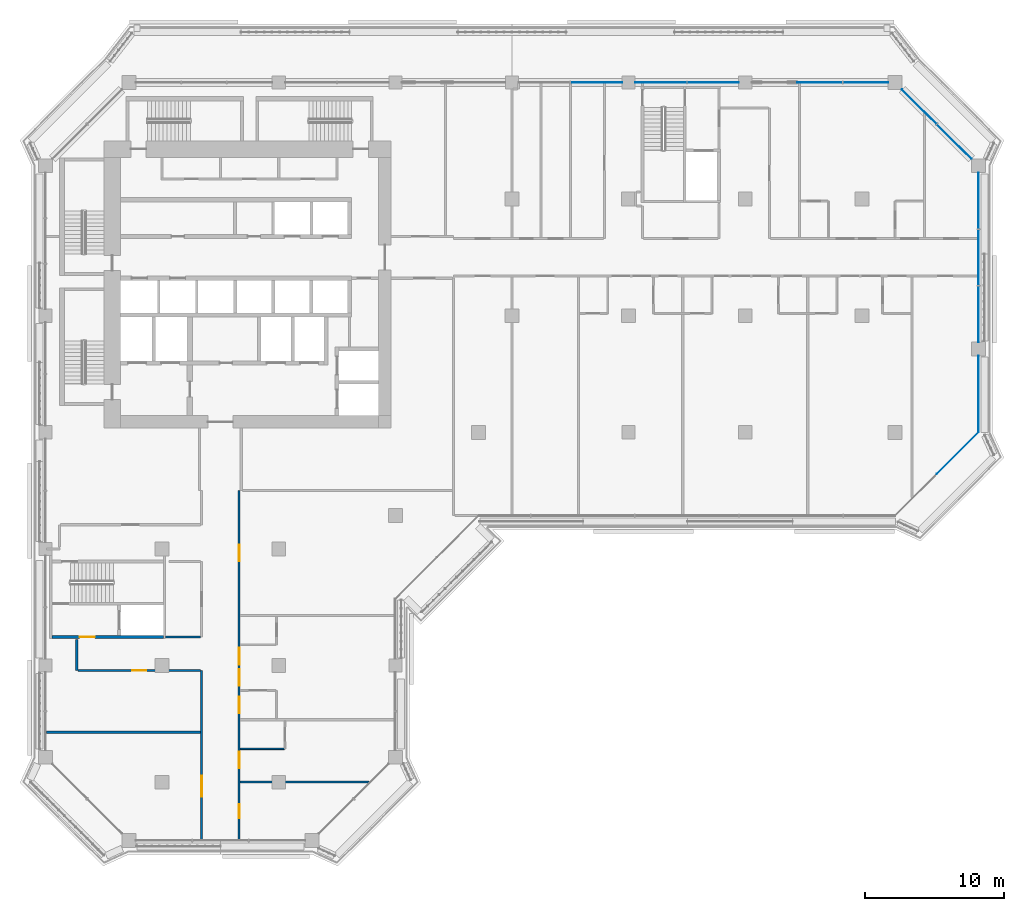
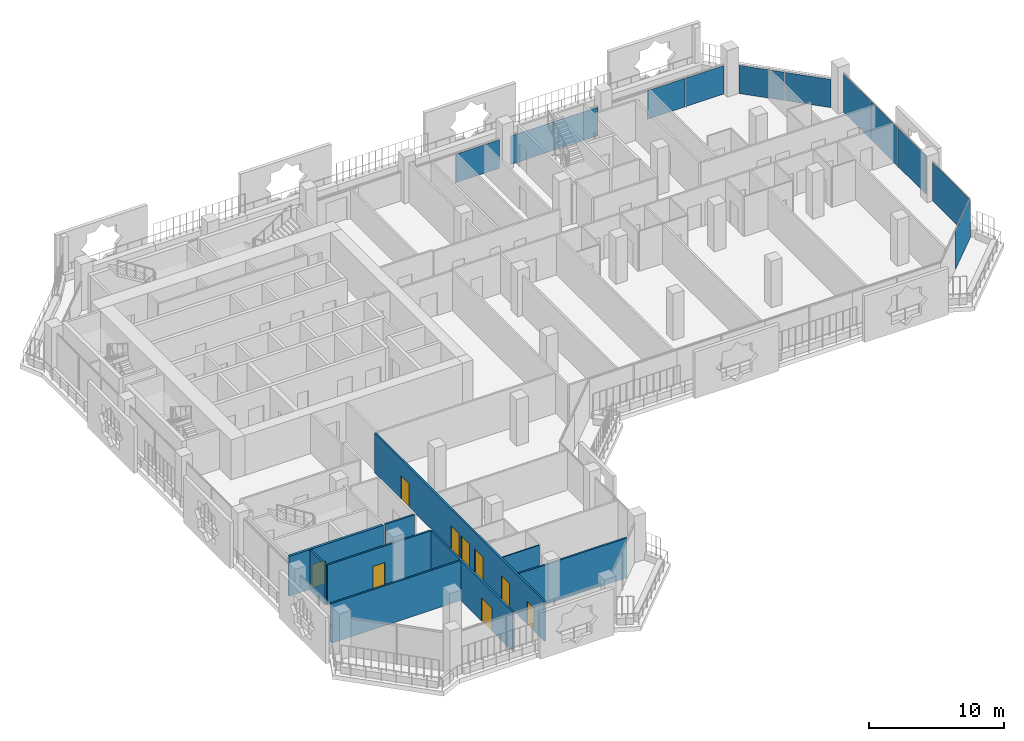
# One storey, part 9 of 22: 12 plates, 9 doors, 9 walls, 9 openings, 4 elements without a shape of their own.
"""IFC4 building model written with IfcOpenShell, lengths in metres."""

import ifcopenshell
import ifcopenshell.guid

model = None  # the IFC model being written
_history = None  # IfcOwnerHistory: only IFC2X3 demands one
_inside = {}  # id of a spatial element -> (the spatial element, [elements in it])
_under = {}  # id of a project, library or spatial element -> (it, [spatial elements below it])
_declared = {}  # id of a project -> (the project, [libraries it declares])
_typed = {}  # id of a type object -> (the type object, [elements of that type])
_made_of = {}  # id of a material, layer set ... -> (it, [elements and type objects made of it])


def new_model(schema):
    """Start an empty IFC model of exactly this schema.

    Asked for "IFC4X3", IfcOpenShell would pick the latest addendum, in which some entities
    have other attributes; the version numbers below select the first issue.
    IFC2X3 requires an IfcOwnerHistory on every rooted entity: one is made here for all.
    """
    global model, _history
    if schema == "IFC4X3":
        model = ifcopenshell.file(schema_version=(4, 3, 0, 0))
    else:
        model = ifcopenshell.file(schema=schema)
    _inside.clear()
    _under.clear()
    _declared.clear()
    _typed.clear()
    _made_of.clear()
    _history = None
    if model.schema == "IFC2X3":
        org = make("IfcOrganization", Name="unknown")
        user = make(
            "IfcPersonAndOrganization",
            ThePerson=make("IfcPerson", FamilyName="unknown"),
            TheOrganization=org,
        )
        app = make(
            "IfcApplication",
            ApplicationDeveloper=org,
            Version="unknown",
            ApplicationFullName="unknown",
            ApplicationIdentifier="unknown",
        )
        _history = make(
            "IfcOwnerHistory",
            OwningUser=user,
            OwningApplication=app,
            ChangeAction="ADDED",
            CreationDate=0,
        )
    return model


def make(cls, **values):
    """One entity of the class cls with the attributes given. An attribute that is None is left unset."""
    return model.create_entity(
        cls, **{name: value for name, value in values.items() if value is not None}
    )


def rooted(cls, **values):
    """An entity with a GlobalId (a new one), such as an element, a storey or a relation."""
    return make(cls, GlobalId=ifcopenshell.guid.new(), OwnerHistory=_history, **values)


def si_unit(unit_type, name, prefix=None):
    """IfcSIUnit, for example si_unit("LENGTHUNIT", "METRE", prefix="MILLI")."""
    return make("IfcSIUnit", UnitType=unit_type, Prefix=prefix, Name=name)


def assignment(units):
    """IfcUnitAssignment: the units of a project."""
    return None if units is None else make("IfcUnitAssignment", Units=units)


def point(xyz):
    """IfcCartesianPoint."""
    return None if xyz is None else make("IfcCartesianPoint", Coordinates=xyz)


def direction(xyz):
    """IfcDirection."""
    return None if xyz is None else make("IfcDirection", DirectionRatios=xyz)


def frame(location, z_axis=None, x_axis=None):
    """IfcAxis2Placement3D, a coordinate frame: its origin and axes. An axis left out is left unset."""
    return make(
        "IfcAxis2Placement3D",
        Location=point(location),
        Axis=direction(z_axis),
        RefDirection=direction(x_axis),
    )


def frame_2d(location, x_axis=None):
    """IfcAxis2Placement2D, a coordinate frame in the plane: its origin and x axis."""
    return make(
        "IfcAxis2Placement2D", Location=point(location), RefDirection=direction(x_axis)
    )


def origin():
    """The frame at (0, 0, 0) with its axes left unset."""
    return frame((0.0, 0.0, 0.0))


def origin_2d():
    """The frame at (0, 0) in the plane with its x axis left unset."""
    return frame_2d((0.0, 0.0))


def place(relative_to, where):
    """IfcLocalPlacement: puts the frame where relative to a parent placement (None: the world)."""
    return make(
        "IfcLocalPlacement", PlacementRelTo=relative_to, RelativePlacement=where
    )


def context(
    kind, dimensions, precision=None, world=None, true_north=None, identifier=None
):
    """IfcGeometricRepresentationContext, for example the 3D "Model" context."""
    return make(
        "IfcGeometricRepresentationContext",
        ContextIdentifier=identifier,
        ContextType=kind,
        CoordinateSpaceDimension=dimensions,
        Precision=precision,
        WorldCoordinateSystem=world,
        TrueNorth=true_north,
    )


def subcontext(parent, identifier, kind, view, scale=None):
    """IfcGeometricRepresentationSubContext, for example "Body" below "Model"."""
    return make(
        "IfcGeometricRepresentationSubContext",
        ContextIdentifier=identifier,
        ContextType=kind,
        ParentContext=parent,
        TargetScale=scale,
        TargetView=view,
    )


def project(units=None, contexts=None):
    """IfcProject with its units and contexts."""
    return rooted(
        "IfcProject",
        Name="project",
        RepresentationContexts=contexts,
        UnitsInContext=assignment(units),
    )


def spatial(cls, under=None, at=None, **own):
    """A site, building, storey or space (cls), placed at a placement, below another one or the project."""
    s = rooted(cls, ObjectPlacement=at, **own)
    if under is not None:
        _under.setdefault(under.id(), (under, []))[1].append(s)
    return s


def profile(cls, at=None, kind="AREA", **sizes):
    """A parametric profile (cls). Its sizes go by their IFC names, for example OverallWidth=200.0."""
    return make(cls, ProfileType=kind, Position=at, **sizes)


def rectangle(**sizes):
    """IfcRectangleProfileDef."""
    return profile("IfcRectangleProfileDef", **sizes)


def extrude(swept, where, along, depth):
    """IfcExtrudedAreaSolid: the profile swept, set in the frame where, extruded along a direction by depth."""
    return make(
        "IfcExtrudedAreaSolid",
        SweptArea=swept,
        Position=where,
        ExtrudedDirection=direction(along),
        Depth=depth,
    )


def shape(context_of_items, identifier, shape_type, items):
    """IfcShapeRepresentation: the items that make up one representation, for example the "Body"."""
    return make(
        "IfcShapeRepresentation",
        ContextOfItems=context_of_items,
        RepresentationIdentifier=identifier,
        RepresentationType=shape_type,
        Items=items,
    )


def material(Name=None, Category=None):
    """IfcMaterial."""
    return make("IfcMaterial", Name=Name, Category=Category)


def layer(
    of_material, thickness, ventilated=None, Name=None, Category=None, Priority=None
):
    """IfcMaterialLayer: one layer of a wall or slab, of a material (None: an air gap)."""
    return make(
        "IfcMaterialLayer",
        Material=of_material,
        LayerThickness=thickness,
        IsVentilated=ventilated,
        Name=Name,
        Category=Category,
        Priority=Priority,
    )


def layer_set(layers, Name=None):
    """IfcMaterialLayerSet."""
    return make("IfcMaterialLayerSet", MaterialLayers=layers, LayerSetName=Name)


def made_of(thing, what):
    """Note that an element or type object is made of a material, layer set ...; save() writes the relation."""
    if what is not None:
        _made_of.setdefault(what.id(), (what, []))[1].append(thing)
    return thing


def type_object(cls, material=None, **own):
    """A type object (cls), such as IfcWallType, which elements share."""
    return made_of(rooted(cls, **own), material)


def element(
    cls,
    number,
    at=None,
    inside=None,
    cuts=None,
    type_object=None,
    material=None,
    context=None,
    identifier="Body",
    shape_type=None,
    held_by="IfcProductDefinitionShape",
    body=None,
    shapes=None,
    **own,
):
    """One element of the class cls, such as IfcWall. Its Tag is "e" and its number.

    at: its placement. inside: the storey or other place that contains it. cuts: it is an
    opening in that element (IfcRelVoidsElement). A single representation is given by context,
    identifier, shape_type and body (its items); several are given by shapes. held_by: the class
    of the entity that holds the representations. save() writes the other relations.
    """
    e = rooted(cls, Tag="e%d" % number, ObjectPlacement=at, **own)
    if body is not None:
        shapes = [shape(context, identifier, shape_type, body)]
    if shapes is not None:
        e.Representation = make(held_by, Representations=shapes)
    if inside is not None:
        _inside.setdefault(inside.id(), (inside, []))[1].append(e)
    if cuts is not None:
        rooted(
            "IfcRelVoidsElement", RelatingBuildingElement=cuts, RelatedOpeningElement=e
        )
    if type_object is not None:
        _typed.setdefault(type_object.id(), (type_object, []))[1].append(e)
    return made_of(e, material)


def fill(opening, filler):
    """IfcRelFillsElement: the door or window that sits in an opening."""
    return rooted(
        "IfcRelFillsElement",
        RelatingOpeningElement=opening,
        RelatedBuildingElement=filler,
    )


def aggregate(whole, parts):
    """IfcRelAggregates: a whole, such as a stair, and the parts it consists of."""
    return rooted("IfcRelAggregates", RelatingObject=whole, RelatedObjects=parts)


def save(model, path):
    """Write the relations noted so far, then the file.

    IfcRelAggregates (storeys below a building ...), IfcRelContainedInSpatialStructure (elements
    in a storey), IfcRelDefinesByType, IfcRelAssociatesMaterial and IfcRelDeclares: one each for
    every whole, place, type object, material and project.
    """
    for whole, parts in _under.values():
        aggregate(whole, parts)
    for where, things in _inside.values():
        rooted(
            "IfcRelContainedInSpatialStructure",
            RelatedElements=things,
            RelatingStructure=where,
        )
    for kind, things in _typed.values():
        rooted("IfcRelDefinesByType", RelatedObjects=things, RelatingType=kind)
    for what, things in _made_of.values():
        rooted("IfcRelAssociatesMaterial", RelatedObjects=things, RelatingMaterial=what)
    for by, libraries in _declared.values():
        rooted("IfcRelDeclares", RelatingContext=by, RelatedDefinitions=libraries)
    model.write(path)


model = new_model("IFC4")

# Units and contexts
model_context = context("Model", 3, precision=1e-05, world=origin(), true_north=direction((0.0, 1.0)))
body_context = subcontext(model_context, "Body", "Model", "MODEL_VIEW")
ifc_project = project(units=[si_unit("LENGTHUNIT", "METRE"), si_unit("AREAUNIT", "SQUARE_METRE"), si_unit("VOLUMEUNIT", "CUBIC_METRE"), si_unit("PLANEANGLEUNIT", "RADIAN"), si_unit("MASSUNIT", "GRAM", prefix="KILO")], contexts=[model_context])

# Site, building, storey
site_placement = place(None, origin())
site = spatial("IfcSite", under=ifc_project, at=site_placement, CompositionType="ELEMENT")
building_placement = place(site_placement, origin())
building = spatial("IfcBuilding", under=site, at=building_placement, Name="Kawkab Arch Medical Tower", CompositionType="ELEMENT")
storey_placement = place(building_placement, frame((0.0, 0.0, 187.800048828125)))
storey = spatial("IfcBuildingStorey", under=building, at=storey_placement, Name="L43", CompositionType="ELEMENT", Elevation=187.800048828125)

# Curtain wall, plates
ifc_material_1 = material(Name="Bronze anodised aluminium curtain wall frame", Category="aluminium")
ifc_layer_1 = layer(ifc_material_1, 0.159912109375)
ifc_layer_set_1 = layer_set([ifc_layer_1], Name="Bronze anodised aluminium curtain wall frame")
curtain_wall_type_1 = type_object("IfcCurtainWallType", Name="CW1 ward curtain wall", PredefinedType="NOTDEFINED", material=ifc_layer_set_1)
placement = place(storey_placement, origin())
curtain_wall_1 = element("IfcCurtainWall", 1, at=placement, inside=storey, type_object=curtain_wall_type_1, Name="CW1 Ward curtain wall R09", PredefinedType="NOTDEFINED")
ifc_material_2 = material(Name="Tinted insulating glass, bronze low-e coating", Category="glass")
ifc_layer_2 = layer(ifc_material_2, 0.031982421875)
ifc_layer_set_2 = layer_set([ifc_layer_2], Name="Tinted insulating glass, bronze low-e coating")
plate_type_1 = type_object("IfcPlateType", Name="CW1 glazing unit 32", PredefinedType="CURTAIN_PANEL", material=ifc_layer_set_2)
plate_1_placement = place(storey_placement, frame((67.199951171875, -22.449951171875, 0.0), z_axis=(0.0, 0.0, 1.0), x_axis=(0.0, 1.0, 0.0)))
plate_1 = element("IfcPlate", 2, at=plate_1_placement, type_object=plate_type_1, Name="CW1 glazing unit 1.1", PredefinedType="CURTAIN_PANEL", context=body_context, shape_type="SweptSolid", body=[
    extrude(rectangle(XDim=5.5, YDim=0.031982421875, at=origin_2d()), origin(), (0.0, 0.0, 1.0), 3.47998046875),
])
plate_2_placement = place(storey_placement, frame((67.199951171875, -16.681640625, 0.0), z_axis=(0.0, 0.0, 1.0), x_axis=(0.0, 1.0, 0.0)))
plate_2 = element("IfcPlate", 3, at=plate_2_placement, type_object=plate_type_1, Name="CW1 glazing unit 2.1", PredefinedType="CURTAIN_PANEL", context=body_context, shape_type="SweptSolid", body=[
    extrude(rectangle(XDim=4.03662109375, YDim=0.031982421875, at=origin_2d()), origin(), (0.0, 0.0, 1.0), 3.47998046875),
])
plate_3_placement = place(storey_placement, frame((67.199951171875, -12.60009765625, 0.0), z_axis=(0.0, 0.0, 1.0), x_axis=(0.0, 1.0, 0.0)))
plate_3 = element("IfcPlate", 4, at=plate_3_placement, type_object=plate_type_1, Name="CW1 glazing unit 2.2", PredefinedType="CURTAIN_PANEL", context=body_context, shape_type="SweptSolid", body=[
    extrude(rectangle(XDim=4.006591796875, YDim=0.031982421875, at=origin_2d()), origin(), (0.0, 0.0, 1.0), 3.47998046875),
])
plate_4_placement = place(storey_placement, frame((67.199951171875, -8.518310546875, 0.0), z_axis=(0.0, 0.0, 1.0), x_axis=(0.0, 1.0, 0.0)))
plate_4 = element("IfcPlate", 5, at=plate_4_placement, type_object=plate_type_1, Name="CW1 glazing unit 2.3", PredefinedType="CURTAIN_PANEL", context=body_context, shape_type="SweptSolid", body=[
    extrude(rectangle(XDim=4.03662109375, YDim=0.031982421875, at=origin_2d()), origin(), (0.0, 0.0, 1.0), 3.47998046875),
])
aggregate(curtain_wall_1, [plate_1, plate_2, plate_3, plate_4])

curtain_wall_2 = element("IfcCurtainWall", 6, at=placement, inside=storey, type_object=curtain_wall_type_1, Name="CW1 Ward curtain wall R11", PredefinedType="NOTDEFINED")
plate_5_placement = place(storey_placement, frame((59.077392578125, 0.0, 0.0), z_axis=(0.0, 0.0, 1.0), x_axis=(-1.0, 0.0, 0.0)))
plate_5 = element("IfcPlate", 7, at=plate_5_placement, type_object=plate_type_1, Name="CW1 glazing unit 1.1", PredefinedType="CURTAIN_PANEL", context=body_context, shape_type="SweptSolid", body=[
    extrude(rectangle(XDim=3.2451171875, YDim=0.031982421875, at=origin_2d()), origin(), (0.0, 0.0, 1.0), 2.580078125),
])
plate_6_placement = place(storey_placement, frame((55.7724609375, 0.0, 0.0), z_axis=(0.0, 0.0, 1.0), x_axis=(-1.0, 0.0, 0.0)))
plate_6 = element("IfcPlate", 8, at=plate_6_placement, type_object=plate_type_1, Name="CW1 glazing unit 1.2", PredefinedType="CURTAIN_PANEL", context=body_context, shape_type="SweptSolid", body=[
    extrude(rectangle(XDim=3.2451171875, YDim=0.031982421875, at=origin_2d()), origin(), (0.0, 0.0, 1.0), 2.580078125),
])
plate_7_placement = place(storey_placement, frame((48.077392578125, 0.0, 0.0), z_axis=(0.0, 0.0, 1.0), x_axis=(-1.0, 0.0, 0.0)))
plate_7 = element("IfcPlate", 9, at=plate_7_placement, type_object=plate_type_1, Name="CW1 glazing unit 2.1", PredefinedType="CURTAIN_PANEL", context=body_context, shape_type="SweptSolid", body=[
    extrude(rectangle(XDim=3.695068359375, YDim=0.031982421875, at=origin_2d()), origin(), (0.0, 0.0, 1.0), 2.580078125),
])
plate_8_placement = place(storey_placement, frame((44.322509765625, 0.0, 0.0), z_axis=(0.0, 0.0, 1.0), x_axis=(-1.0, 0.0, 0.0)))
plate_8 = element("IfcPlate", 10, at=plate_8_placement, type_object=plate_type_1, Name="CW1 glazing unit 2.2", PredefinedType="CURTAIN_PANEL", context=body_context, shape_type="SweptSolid", body=[
    extrude(rectangle(XDim=3.695068359375, YDim=0.031982421875, at=origin_2d()), origin(), (0.0, 0.0, 1.0), 2.580078125),
])
plate_9_placement = place(storey_placement, frame((39.677490234375, 0.0, 0.0), z_axis=(0.0, 0.0, 1.0), x_axis=(-1.0, 0.0, 0.0)))
plate_9 = element("IfcPlate", 11, at=plate_9_placement, type_object=plate_type_1, Name="CW1 glazing unit 3.1", PredefinedType="CURTAIN_PANEL", context=body_context, shape_type="SweptSolid", body=[
    extrude(rectangle(XDim=3.695068359375, YDim=0.031982421875, at=origin_2d()), origin(), (0.0, 0.0, 1.0), 2.580078125),
])
aggregate(curtain_wall_2, [plate_5, plate_6, plate_7, plate_8, plate_9])

# Curtain wall, plate
ifc_material_3 = material(Name="Bronze anodised aluminium curtain wall frame", Category="aluminium")
ifc_layer_3 = layer(ifc_material_3, 0.159912109375)
ifc_layer_set_3 = layer_set([ifc_layer_3], Name="Bronze anodised aluminium curtain wall frame")
curtain_wall_type_2 = type_object("IfcCurtainWallType", Name="CW2 chamfer curtain wall", PredefinedType="NOTDEFINED", material=ifc_layer_set_3)
curtain_wall_3 = element("IfcCurtainWall", 12, at=placement, inside=storey, type_object=curtain_wall_type_2, Name="CW2 Chamfer curtain wall R08", PredefinedType="NOTDEFINED")
ifc_material_4 = material(Name="Tinted insulating glass, bronze low-e coating", Category="glass")
ifc_layer_4 = layer(ifc_material_4, 0.031982421875)
ifc_layer_set_4 = layer_set([ifc_layer_4], Name="Tinted insulating glass, bronze low-e coating")
plate_type_2 = type_object("IfcPlateType", Name="CW2 glazing unit 32", PredefinedType="CURTAIN_PANEL", material=ifc_layer_set_4)
plate_10_placement = place(storey_placement, frame((65.699951171875, -26.699951171875, 0.0), z_axis=(0.0, 0.0, 1.0), x_axis=(0.707106781187, 0.707106781187, 0.0)))
plate_10 = element("IfcPlate", 13, at=plate_10_placement, type_object=plate_type_2, Name="CW2 glazing unit 2.1", PredefinedType="CURTAIN_PANEL", context=body_context, shape_type="SweptSolid", body=[
    extrude(rectangle(XDim=4.24267578125, YDim=0.031982421875, at=origin_2d()), origin(), (0.0, 0.0, 1.0), 3.4599609375),
])
aggregate(curtain_wall_3, [plate_10])

# Curtain wall, plates
curtain_wall_4 = element("IfcCurtainWall", 14, at=placement, inside=storey, type_object=curtain_wall_type_2, Name="CW2 Chamfer curtain wall R10", PredefinedType="NOTDEFINED")
plate_11_placement = place(storey_placement, frame((65.460693359375, -4.260498046875, 0.0), z_axis=(0.0, 0.0, 1.0), x_axis=(-0.707106781187, 0.707106781187, 0.0)))
plate_11 = element("IfcPlate", 15, at=plate_11_placement, type_object=plate_type_2, Name="CW2 glazing unit 1.1", PredefinedType="CURTAIN_PANEL", context=body_context, shape_type="SweptSolid", body=[
    extrude(rectangle(XDim=3.505615234375, YDim=0.031982421875, at=origin_2d()), origin(), (0.0, 0.0, 1.0), 2.56005859375),
])
plate_12_placement = place(storey_placement, frame((62.939453125, -1.739501953125, 0.0), z_axis=(0.0, 0.0, 1.0), x_axis=(-0.707106781187, 0.707106781187, 0.0)))
plate_12 = element("IfcPlate", 16, at=plate_12_placement, type_object=plate_type_2, Name="CW2 glazing unit 1.2", PredefinedType="CURTAIN_PANEL", context=body_context, shape_type="SweptSolid", body=[
    extrude(rectangle(XDim=3.505615234375, YDim=0.031982421875, at=origin_2d()), origin(), (0.0, 0.0, 1.0), 2.56005859375),
])
aggregate(curtain_wall_4, [plate_11, plate_12])

# Walls
ifc_material_5 = material(Name="Gypsum board partition on steel studs", Category="steel")
ifc_layer_5 = layer(ifc_material_5, 0.10009765625)
ifc_layer_set_5 = layer_set([ifc_layer_5], Name="Gypsum board partition on steel studs")
wall_type_1 = type_object("IfcWallType", Name="Partition 100", PredefinedType="PARTITIONING", material=ifc_layer_set_5)
wall_1_placement = place(storey_placement, frame((14.02490234375, -48.0, 0.0), z_axis=(0.0, 0.0, 1.0), x_axis=(1.0, 0.0, 0.0)))
element("IfcWall", 17, at=wall_1_placement, inside=storey, type_object=wall_type_1, Name="Partition 100 w001", PredefinedType="PARTITIONING", context=body_context, shape_type="SweptSolid", body=[
    extrude(rectangle(XDim=3.175048828125, YDim=0.10009765625, at=frame_2d((1.58740234375, 0.0))), origin(), (0.0, 0.0, 1.0), 3.599853515625),
])
ifc_material_6 = material(Name="Gypsum board partition on steel studs, mineral wool", Category="steel")
ifc_layer_6 = layer(ifc_material_6, 0.14990234375)
ifc_layer_set_6 = layer_set([ifc_layer_6], Name="Gypsum board partition on steel studs, mineral wool")
wall_type_2 = type_object("IfcWallType", Name="Partition 150", PredefinedType="PARTITIONING", material=ifc_layer_set_6)
wall_2_placement = place(storey_placement, frame((14.02490234375, -50.39990234375, 0.0), z_axis=(0.0, 0.0, 1.0), x_axis=(1.0, 0.0, 0.0)))
element("IfcWall", 18, at=wall_2_placement, inside=storey, type_object=wall_type_2, Name="Partition 150 w021", PredefinedType="PARTITIONING", context=body_context, shape_type="SweptSolid", body=[
    extrude(rectangle(XDim=9.26220703125, YDim=0.14990234375, at=frame_2d((4.631103515625, 0.0))), origin(), (0.0, 0.0, 1.0), 3.599853515625),
])
wall_3_placement = place(storey_placement, frame((0.080078125, -46.800048828125, 0.0), z_axis=(0.0, 0.0, 1.0), x_axis=(1.0, 0.0, 0.0)))
element("IfcWall", 19, at=wall_3_placement, inside=storey, type_object=wall_type_2, Name="Partition 150 w022", PredefinedType="PARTITIONING", context=body_context, shape_type="SweptSolid", body=[
    extrude(rectangle(XDim=11.094970703125, YDim=0.14990234375, at=frame_2d((5.54736328125, 0.0))), origin(), (0.0, 0.0, 1.0), 3.599853515625),
])

# Wall, opening, door
wall_4_placement = place(storey_placement, frame((2.326904296875, -42.35009765625, 0.0), z_axis=(0.0, 0.0, 1.0), x_axis=(1.0, 0.0, 0.0)))
wall_4 = element("IfcWall", 20, at=wall_4_placement, inside=storey, type_object=wall_type_2, Name="Partition 150 w024", PredefinedType="PARTITIONING", context=body_context, shape_type="SweptSolid", body=[
    extrude(rectangle(XDim=8.84814453125, YDim=0.14990234375, at=frame_2d((4.424072265625, 0.0))), origin(), (0.0, 0.0, 1.0), 3.599853515625),
])
opening_1_placement = place(wall_4_placement, frame((3.924072265625, 0.0, 0.0)))
opening_1 = element("IfcOpeningElement", 21, at=opening_1_placement, cuts=wall_4, Name="Opening W43-019", PredefinedType="OPENING", context=body_context, shape_type="SweptSolid", body=[
    extrude(rectangle(XDim=1.0, YDim=2.10009765625, at=frame_2d((0.5, 1.050048828125))), frame((0.0, 0.0849609375, 0.0), z_axis=(0.0, -1.0, 0.0), x_axis=(1.0, 0.0, 0.0)), (0.0, 0.0, 1.0), 0.169921875),
])
ifc_material_7 = material(Name="Hollow metal door leaf")
door_type_1 = type_object("IfcDoorType", Name="Single door 1000x2100 FD30S", OperationType="NOTDEFINED", PredefinedType="DOOR", material=ifc_material_7)
door_1_placement = place(opening_1_placement, origin())
door_1 = element("IfcDoor", 22, at=door_1_placement, inside=storey, type_object=door_type_1, Name="Door W43-019", OperationType="SINGLE_SWING_RIGHT", OverallHeight=2.10009765625, OverallWidth=1.0, PredefinedType="DOOR", context=body_context, shape_type="SweptSolid", body=[
    extrude(rectangle(XDim=1.0, YDim=2.10009765625, at=frame_2d((0.5, 1.050048828125))), frame((0.0, 0.02490234375, 0.0), z_axis=(0.0, -1.0, 0.0), x_axis=(1.0, 0.0, 0.0)), (0.0, 0.0, 1.0), 0.050048828125),
])
fill(opening_1, door_1)

# Walls
wall_5_placement = place(storey_placement, frame((8.64990234375, -39.949951171875, 0.0), z_axis=(0.0, 0.0, 1.0), x_axis=(1.0, 0.0, 0.0)))
element("IfcWall", 23, at=wall_5_placement, inside=storey, type_object=wall_type_2, Name="Partition 150 w025", PredefinedType="PARTITIONING", context=body_context, shape_type="SweptSolid", body=[
    extrude(rectangle(XDim=2.525146484375, YDim=0.14990234375, at=frame_2d((1.2626953125, 0.0))), origin(), (0.0, 0.0, 1.0), 3.599853515625),
])
wall_6_placement = place(storey_placement, frame((2.25, -42.347900390625, 0.0), z_axis=(0.0, 0.0, 1.0), x_axis=(0.0, 1.0, 0.0)))
element("IfcWall", 24, at=wall_6_placement, inside=storey, type_object=wall_type_2, Name="Partition 150 w044", PredefinedType="PARTITIONING", context=body_context, shape_type="SweptSolid", body=[
    extrude(rectangle(XDim=2.218017578125, YDim=0.14990234375, at=frame_2d((1.10888671875, 0.0))), origin(), (0.0, 0.0, 1.0), 3.599853515625),
])

# Wall, opening, door
wall_7_placement = place(storey_placement, frame((11.25, -54.52001953125, 0.0), z_axis=(0.0, 0.0, 1.0), x_axis=(0.0, 1.0, 0.0)))
wall_7 = element("IfcWall", 25, at=wall_7_placement, inside=storey, type_object=wall_type_2, Name="Partition 150 w046", PredefinedType="PARTITIONING", context=body_context, shape_type="SweptSolid", body=[
    extrude(rectangle(XDim=12.169921875, YDim=0.14990234375, at=frame_2d((6.0849609375, 0.0))), origin(), (0.0, 0.0, 1.0), 3.599853515625),
])
opening_2_placement = place(wall_7_placement, frame((3.070068359375, 0.0, 0.0)))
opening_2 = element("IfcOpeningElement", 26, at=opening_2_placement, cuts=wall_7, Name="Opening W43-002", PredefinedType="OPENING", context=body_context, shape_type="SweptSolid", body=[
    extrude(rectangle(XDim=1.5, YDim=2.10009765625, at=frame_2d((0.75, 1.050048828125))), frame((0.0, 0.0849609375, 0.0), z_axis=(0.0, -1.0, 0.0), x_axis=(1.0, 0.0, 0.0)), (0.0, 0.0, 1.0), 0.169921875),
])
ifc_material_8 = material(Name="Hollow metal door leaf")
door_type_2 = type_object("IfcDoorType", Name="Double door 1500x2100 FD30S", OperationType="NOTDEFINED", PredefinedType="DOOR", material=ifc_material_8)
door_2_placement = place(opening_2_placement, origin())
door_2 = element("IfcDoor", 27, at=door_2_placement, inside=storey, type_object=door_type_2, Name="Door W43-002", OperationType="DOUBLE_DOOR_SINGLE_SWING", OverallHeight=2.10009765625, OverallWidth=1.5, PredefinedType="DOOR", context=body_context, shape_type="SweptSolid", body=[
    extrude(rectangle(XDim=1.5, YDim=2.10009765625, at=frame_2d((0.75, 1.050048828125))), frame((0.0, 0.02490234375, 0.0), z_axis=(0.0, -1.0, 0.0), x_axis=(1.0, 0.0, 0.0)), (0.0, 0.0, 1.0), 0.050048828125),
])
fill(opening_2, door_2)

# Wall, openings, doors
wall_8_placement = place(storey_placement, frame((13.949951171875, -54.52001953125, 0.0), z_axis=(0.0, 0.0, 1.0), x_axis=(0.0, 1.0, 0.0)))
wall_8 = element("IfcWall", 28, at=wall_8_placement, inside=storey, type_object=wall_type_2, Name="Partition 150 w049", PredefinedType="PARTITIONING", context=body_context, shape_type="SweptSolid", body=[
    extrude(rectangle(XDim=25.1201171875, YDim=0.14990234375, at=frame_2d((12.56005859375, 0.0))), origin(), (0.0, 0.0, 1.0), 3.599853515625),
])
opening_3_placement = place(wall_8_placement, frame((20.02001953125, 0.0, 0.0)))
opening_3 = element("IfcOpeningElement", 29, at=opening_3_placement, cuts=wall_8, Name="Opening W43-041", PredefinedType="OPENING", context=body_context, shape_type="SweptSolid", body=[
    extrude(rectangle(XDim=1.199951171875, YDim=2.10009765625, at=frame_2d((0.60009765625, 1.050048828125))), frame((0.0, 0.0849609375, 0.0), z_axis=(0.0, -1.0, 0.0), x_axis=(1.0, 0.0, 0.0)), (0.0, 0.0, 1.0), 0.169921875),
])
opening_4_placement = place(wall_8_placement, frame((12.594970703125, 0.0, 0.0)))
opening_4 = element("IfcOpeningElement", 30, at=opening_4_placement, cuts=wall_8, Name="Opening W43-042", PredefinedType="OPENING", context=body_context, shape_type="SweptSolid", body=[
    extrude(rectangle(XDim=1.199951171875, YDim=2.10009765625, at=frame_2d((0.60009765625, 1.050048828125))), frame((0.0, 0.0849609375, 0.0), z_axis=(0.0, -1.0, 0.0), x_axis=(1.0, 0.0, 0.0)), (0.0, 0.0, 1.0), 0.169921875),
])
opening_5_placement = place(wall_8_placement, frame((11.070068359375, 0.0, 0.0)))
opening_5 = element("IfcOpeningElement", 31, at=opening_5_placement, cuts=wall_8, Name="Opening W43-043", PredefinedType="OPENING", context=body_context, shape_type="SweptSolid", body=[
    extrude(rectangle(XDim=1.199951171875, YDim=2.10009765625, at=frame_2d((0.60009765625, 1.050048828125))), frame((0.0, 0.0849609375, 0.0), z_axis=(0.0, -1.0, 0.0), x_axis=(1.0, 0.0, 0.0)), (0.0, 0.0, 1.0), 0.169921875),
])
opening_6_placement = place(wall_8_placement, frame((9.070068359375, 0.0, 0.0)))
opening_6 = element("IfcOpeningElement", 32, at=opening_6_placement, cuts=wall_8, Name="Opening W43-044", PredefinedType="OPENING", context=body_context, shape_type="SweptSolid", body=[
    extrude(rectangle(XDim=1.199951171875, YDim=2.10009765625, at=frame_2d((0.60009765625, 1.050048828125))), frame((0.0, 0.0849609375, 0.0), z_axis=(0.0, -1.0, 0.0), x_axis=(1.0, 0.0, 0.0)), (0.0, 0.0, 1.0), 0.169921875),
])
opening_7_placement = place(wall_8_placement, frame((5.1201171875, 0.0, 0.0)))
opening_7 = element("IfcOpeningElement", 33, at=opening_7_placement, cuts=wall_8, Name="Opening W43-046", PredefinedType="OPENING", context=body_context, shape_type="SweptSolid", body=[
    extrude(rectangle(XDim=1.199951171875, YDim=2.10009765625, at=frame_2d((0.60009765625, 1.050048828125))), frame((0.0, 0.0849609375, 0.0), z_axis=(0.0, -1.0, 0.0), x_axis=(1.0, 0.0, 0.0)), (0.0, 0.0, 1.0), 0.169921875),
])
opening_8_placement = place(wall_8_placement, frame((1.52001953125, 0.0, 0.0)))
opening_8 = element("IfcOpeningElement", 34, at=opening_8_placement, cuts=wall_8, Name="Opening W43-020", PredefinedType="OPENING", context=body_context, shape_type="SweptSolid", body=[
    extrude(rectangle(XDim=1.0, YDim=2.10009765625, at=frame_2d((0.5, 1.050048828125))), frame((0.0, 0.0849609375, 0.0), z_axis=(0.0, -1.0, 0.0), x_axis=(1.0, 0.0, 0.0)), (0.0, 0.0, 1.0), 0.169921875),
])
door_3_placement = place(opening_8_placement, origin())
door_3 = element("IfcDoor", 35, at=door_3_placement, inside=storey, type_object=door_type_1, Name="Door W43-020", OperationType="SINGLE_SWING_RIGHT", OverallHeight=2.10009765625, OverallWidth=1.0, PredefinedType="DOOR", context=body_context, shape_type="SweptSolid", body=[
    extrude(rectangle(XDim=1.0, YDim=2.10009765625, at=frame_2d((0.5, 1.050048828125))), frame((0.0, 0.02490234375, 0.0), z_axis=(0.0, -1.0, 0.0), x_axis=(1.0, 0.0, 0.0)), (0.0, 0.0, 1.0), 0.050048828125),
])
fill(opening_8, door_3)
ifc_material_9 = material(Name="Hollow metal door leaf")
door_type_3 = type_object("IfcDoorType", Name="Single door 1200x2100 FD30S", OperationType="NOTDEFINED", PredefinedType="DOOR", material=ifc_material_9)
door_4_placement = place(opening_3_placement, origin())
door_4 = element("IfcDoor", 36, at=door_4_placement, inside=storey, type_object=door_type_3, Name="Door W43-041", OperationType="SINGLE_SWING_LEFT", OverallHeight=2.10009765625, OverallWidth=1.199951171875, PredefinedType="DOOR", context=body_context, shape_type="SweptSolid", body=[
    extrude(rectangle(XDim=1.199951171875, YDim=2.10009765625, at=frame_2d((0.60009765625, 1.050048828125))), frame((0.0, 0.02490234375, 0.0), z_axis=(0.0, -1.0, 0.0), x_axis=(1.0, 0.0, 0.0)), (0.0, 0.0, 1.0), 0.050048828125),
])
fill(opening_3, door_4)
door_5_placement = place(opening_4_placement, origin())
door_5 = element("IfcDoor", 37, at=door_5_placement, inside=storey, type_object=door_type_3, Name="Door W43-042", OperationType="SINGLE_SWING_LEFT", OverallHeight=2.10009765625, OverallWidth=1.199951171875, PredefinedType="DOOR", context=body_context, shape_type="SweptSolid", body=[
    extrude(rectangle(XDim=1.199951171875, YDim=2.10009765625, at=frame_2d((0.60009765625, 1.050048828125))), frame((0.0, 0.02490234375, 0.0), z_axis=(0.0, -1.0, 0.0), x_axis=(1.0, 0.0, 0.0)), (0.0, 0.0, 1.0), 0.050048828125),
])
fill(opening_4, door_5)
door_6_placement = place(opening_5_placement, origin())
door_6 = element("IfcDoor", 38, at=door_6_placement, inside=storey, type_object=door_type_3, Name="Door W43-043", OperationType="SINGLE_SWING_RIGHT", OverallHeight=2.10009765625, OverallWidth=1.199951171875, PredefinedType="DOOR", context=body_context, shape_type="SweptSolid", body=[
    extrude(rectangle(XDim=1.199951171875, YDim=2.10009765625, at=frame_2d((0.60009765625, 1.050048828125))), frame((0.0, 0.02490234375, 0.0), z_axis=(0.0, -1.0, 0.0), x_axis=(1.0, 0.0, 0.0)), (0.0, 0.0, 1.0), 0.050048828125),
])
fill(opening_5, door_6)
door_7_placement = place(opening_6_placement, origin())
door_7 = element("IfcDoor", 39, at=door_7_placement, inside=storey, type_object=door_type_3, Name="Door W43-044", OperationType="SINGLE_SWING_RIGHT", OverallHeight=2.10009765625, OverallWidth=1.199951171875, PredefinedType="DOOR", context=body_context, shape_type="SweptSolid", body=[
    extrude(rectangle(XDim=1.199951171875, YDim=2.10009765625, at=frame_2d((0.60009765625, 1.050048828125))), frame((0.0, 0.02490234375, 0.0), z_axis=(0.0, -1.0, 0.0), x_axis=(1.0, 0.0, 0.0)), (0.0, 0.0, 1.0), 0.050048828125),
])
fill(opening_6, door_7)
door_8_placement = place(opening_7_placement, origin())
door_8 = element("IfcDoor", 40, at=door_8_placement, inside=storey, type_object=door_type_3, Name="Door W43-046", OperationType="SINGLE_SWING_RIGHT", OverallHeight=2.10009765625, OverallWidth=1.199951171875, PredefinedType="DOOR", context=body_context, shape_type="SweptSolid", body=[
    extrude(rectangle(XDim=1.199951171875, YDim=2.10009765625, at=frame_2d((0.60009765625, 1.050048828125))), frame((0.0, 0.02490234375, 0.0), z_axis=(0.0, -1.0, 0.0), x_axis=(1.0, 0.0, 0.0)), (0.0, 0.0, 1.0), 0.050048828125),
])
fill(opening_7, door_8)

# Wall, opening, door
ifc_material_10 = material(Name="Concrete C50/60", Category="concrete")
ifc_layer_7 = layer(ifc_material_10, 0.199951171875)
ifc_layer_set_7 = layer_set([ifc_layer_7], Name="Concrete C50/60")
wall_type_3 = type_object("IfcWallType", Name="Stair enclosure wall 200 C50/60", PredefinedType="SHEAR", material=ifc_layer_set_7)
wall_9_placement = place(storey_placement, frame((0.449951171875, -39.949951171875, 0.0), z_axis=(0.0, 0.0, 1.0), x_axis=(1.0, 0.0, 0.0)))
wall_9 = element("IfcWall", 41, at=wall_9_placement, inside=storey, type_object=wall_type_3, Name="L43 stair enclosure wall", PredefinedType="SHEAR", context=body_context, shape_type="SweptSolid", body=[
    extrude(rectangle(XDim=8.050048828125, YDim=0.199951171875, at=frame_2d((4.02490234375, 0.0))), origin(), (0.0, 0.0, 1.0), 3.599853515625),
])
opening_9_placement = place(wall_9_placement, frame((2.0, 0.0, 0.0)))
opening_9 = element("IfcOpeningElement", 42, at=opening_9_placement, cuts=wall_9, Name="Opening FD", PredefinedType="OPENING", context=body_context, shape_type="SweptSolid", body=[
    extrude(rectangle(XDim=1.10009765625, YDim=2.10009765625, at=frame_2d((0.550048828125, 1.050048828125))), frame((0.0, 0.10986328125, 0.0), z_axis=(0.0, -1.0, 0.0), x_axis=(1.0, 0.0, 0.0)), (0.0, 0.0, 1.0), 0.219970703125),
])
ifc_material_11 = material(Name="Hollow metal fire door leaf")
door_type_4 = type_object("IfcDoorType", Name="Firefighting lobby door 1100", OperationType="SINGLE_SWING_LEFT", PredefinedType="DOOR", material=ifc_material_11)
door_9_placement = place(opening_9_placement, origin())
door_9 = element("IfcDoor", 43, at=door_9_placement, inside=storey, type_object=door_type_4, Name="L43 Service lift lobby door SV2", OperationType="SINGLE_SWING_LEFT", OverallHeight=2.10009765625, OverallWidth=1.10009765625, PredefinedType="DOOR", context=body_context, shape_type="SweptSolid", body=[
    extrude(rectangle(XDim=1.10009765625, YDim=2.10009765625, at=frame_2d((0.550048828125, 1.050048828125))), frame((0.0, 0.02490234375, 0.0), z_axis=(0.0, -1.0, 0.0), x_axis=(1.0, 0.0, 0.0)), (0.0, 0.0, 1.0), 0.050048828125),
])
fill(opening_9, door_9)

save(model, "model.ifc")
